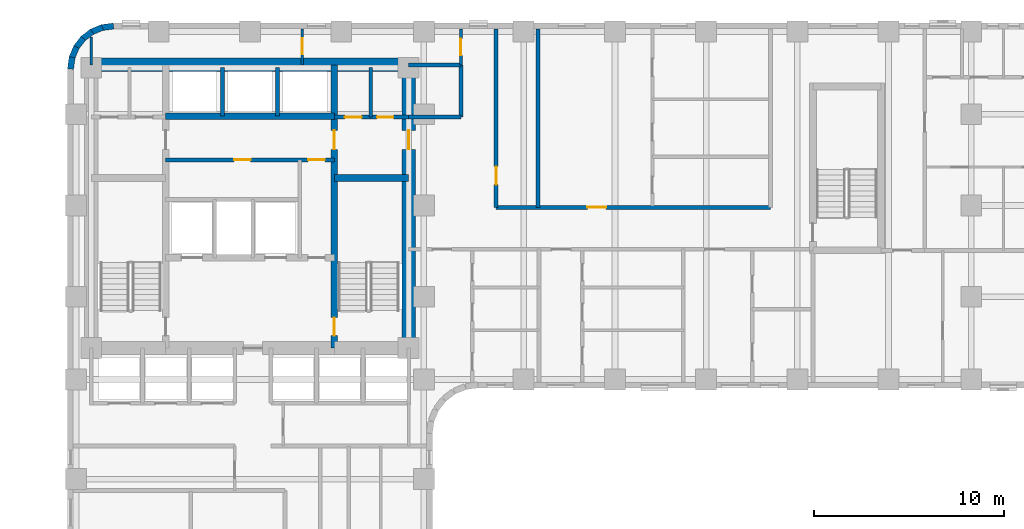
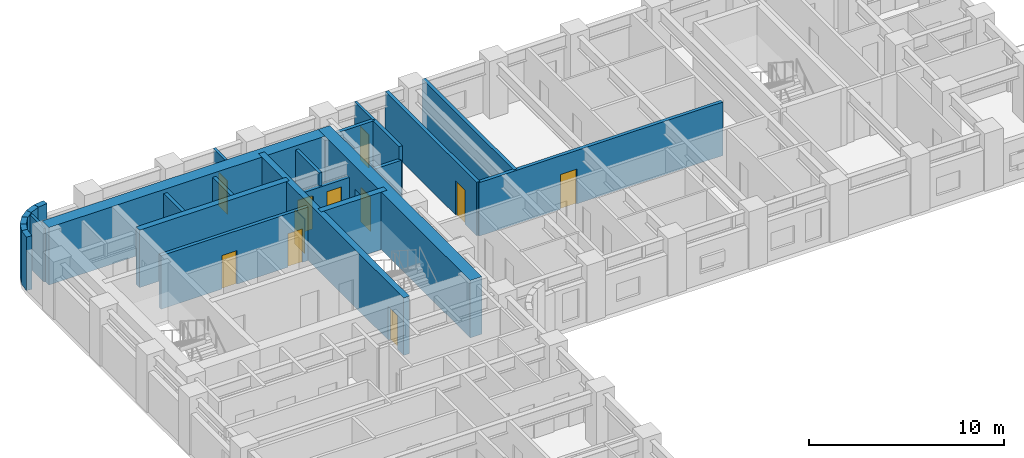
# One storey, part 6 of 11: 25 walls, 11 doors, 11 openings.
"""IFC4 building model written with IfcOpenShell, lengths in metres."""

from ifc_helpers import new_model, si_unit, direction, frame, frame_2d, origin, place, context, subcontext, project, spatial, rectangle, extrude, material, layer, layer_set, type_object, element, fill, save


model = new_model("IFC4")

# Units and contexts
model_context = context("Model", 3, precision=1e-05, world=origin(), true_north=direction((0.0, 1.0)))
body_context = subcontext(model_context, "Body", "Model", "MODEL_VIEW")
ifc_project = project(units=[si_unit("LENGTHUNIT", "METRE"), si_unit("AREAUNIT", "SQUARE_METRE"), si_unit("VOLUMEUNIT", "CUBIC_METRE"), si_unit("PLANEANGLEUNIT", "RADIAN"), si_unit("MASSUNIT", "GRAM", prefix="KILO")], contexts=[model_context])

# Site, building, storey
site_placement = place(None, origin())
site = spatial("IfcSite", under=ifc_project, at=site_placement, CompositionType="ELEMENT")
building_placement = place(site_placement, origin())
building = spatial("IfcBuilding", under=site, at=building_placement, Name="Orvandelia Arch Residences", CompositionType="ELEMENT")
storey_placement = place(building_placement, frame((0.0, 0.0, 46.60009765625)))
storey = spatial("IfcBuildingStorey", under=building, at=storey_placement, Name="L11", CompositionType="ELEMENT", Elevation=46.60009765625)

# Wall, openings, doors
ifc_material_1 = material(Name="Concrete C50/60", Category="concrete")
ifc_layer_1 = layer(ifc_material_1, 0.35009765625, Name="Concrete C50/60", Category="concrete")
ifc_layer_set_1 = layer_set([ifc_layer_1], Name="Concrete C50/60")
wall_type_1 = type_object("IfcWallType", Name="WL-CORE-350", PredefinedType="SHEAR", material=ifc_layer_set_1)
wall_1_placement = place(storey_placement, frame((18.840087890625, 30.89990234375, 0.0), z_axis=(0.0, 0.0, 1.0), x_axis=(0.0, 1.0, 0.0)))
wall_1 = element("IfcWall", 1, at=wall_1_placement, inside=storey, type_object=wall_type_1, Name="Core Shear Wall L11-WEB2", PredefinedType="SHEAR", context=body_context, shape_type="SweptSolid", body=[
    extrude(rectangle(XDim=14.900146484375, YDim=0.35009765625, at=frame_2d((7.4501953125, 0.0))), origin(), (0.0, 0.0, 1.0), 3.599853515625),
])
opening_1_placement = place(wall_1_placement, frame((0.64990234375, 0.0, 0.0)))
opening_1 = element("IfcOpeningElement", 2, at=opening_1_placement, cuts=wall_1, Name="Opening D7", PredefinedType="OPENING", context=body_context, shape_type="SweptSolid", body=[
    extrude(rectangle(XDim=0.949951171875, YDim=2.10009765625, at=frame_2d((0.47509765625, 1.050048828125))), frame((0.0, 0.18505859375, 0.0), z_axis=(0.0, -1.0, 0.0), x_axis=(1.0, 0.0, 0.0)), (0.0, 0.0, 1.0), 0.3701171875),
])
opening_2_placement = place(wall_1_placement, frame((10.449951171875, 0.0, 0.0)))
opening_2 = element("IfcOpeningElement", 3, at=opening_2_placement, cuts=wall_1, Name="Opening D6", PredefinedType="OPENING", context=body_context, shape_type="SweptSolid", body=[
    extrude(rectangle(XDim=1.0, YDim=2.14990234375, at=frame_2d((0.5, 1.074951171875))), frame((0.0, 0.18505859375, 0.0), z_axis=(0.0, -1.0, 0.0), x_axis=(1.0, 0.0, 0.0)), (0.0, 0.0, 1.0), 0.3701171875),
])
ifc_material_2 = material(Name="Smokeproof Painted Steel Fire Door", Category="steel")
door_type_1 = type_object("IfcDoorType", Name="DR-FD60-1000", OperationType="NOTDEFINED", PredefinedType="DOOR", material=ifc_material_2)
door_1_placement = place(opening_2_placement, origin())
door_1 = element("IfcDoor", 4, at=door_1_placement, inside=storey, type_object=door_type_1, Name="High-Rise Lift Hall East Vestibule Door L11", OperationType="SINGLE_SWING_RIGHT", OverallHeight=2.14990234375, OverallWidth=1.0, PredefinedType="DOOR", context=body_context, shape_type="SweptSolid", body=[
    extrude(rectangle(XDim=1.0, YDim=2.14990234375, at=frame_2d((0.5, 1.074951171875))), frame((0.0, 0.02490234375, 0.0), z_axis=(0.0, -1.0, 0.0), x_axis=(1.0, 0.0, 0.0)), (0.0, 0.0, 1.0), 0.050048828125),
])
fill(opening_2, door_1)
ifc_material_3 = material(Name="Pressurised Stairwell Fire Door")
door_type_2 = type_object("IfcDoorType", Name="DR-STAIR-950", OperationType="NOTDEFINED", PredefinedType="DOOR", material=ifc_material_3)
door_2_placement = place(opening_1_placement, origin())
door_2 = element("IfcDoor", 5, at=door_2_placement, inside=storey, type_object=door_type_2, Name="Stairwell ST-2 Fire Door L11", OperationType="SINGLE_SWING_RIGHT", OverallHeight=2.10009765625, OverallWidth=0.949951171875, PredefinedType="DOOR", context=body_context, shape_type="SweptSolid", body=[
    extrude(rectangle(XDim=0.949951171875, YDim=2.10009765625, at=frame_2d((0.47509765625, 1.050048828125))), frame((0.0, 0.02490234375, 0.0), z_axis=(0.0, -1.0, 0.0), x_axis=(1.0, 0.0, 0.0)), (0.0, 0.0, 1.0), 0.050048828125),
])
fill(opening_1, door_2)

# Walls
wall_2_placement = place(storey_placement, frame((18.840087890625, 39.85009765625, 0.0), z_axis=(0.0, 0.0, 1.0), x_axis=(1.0, 0.0, 0.0)))
element("IfcWall", 6, at=wall_2_placement, inside=storey, type_object=wall_type_1, Name="Core Shear Wall L11-HZ2", PredefinedType="SHEAR", context=body_context, shape_type="SweptSolid", body=[
    extrude(rectangle(XDim=3.909912109375, YDim=0.35009765625, at=frame_2d((1.955078125, 0.0))), origin(), (0.0, 0.0, 1.0), 3.599853515625),
])
wall_3_placement = place(storey_placement, frame((9.9599609375, 43.10009765625, 0.0), z_axis=(0.0, 0.0, 1.0), x_axis=(1.0, 0.0, 0.0)))
element("IfcWall", 7, at=wall_3_placement, inside=storey, type_object=wall_type_1, Name="Core Shear Wall L11-HZ4", PredefinedType="SHEAR", context=body_context, shape_type="SweptSolid", body=[
    extrude(rectangle(XDim=8.880126953125, YDim=0.35009765625, at=frame_2d((4.43994140625, 0.0))), origin(), (0.0, 0.0, 1.0), 3.599853515625),
])

# Wall, opening, door
ifc_material_4 = material(Name="Concrete C80/95", Category="concrete")
ifc_layer_2 = layer(ifc_material_4, 0.699951171875, Name="Concrete C80/95", Category="concrete")
ifc_layer_set_2 = layer_set([ifc_layer_2], Name="Concrete C80/95")
wall_type_2 = type_object("IfcWallType", Name="WL-CORE-700", PredefinedType="SHEAR", material=ifc_layer_set_2)
wall_4_placement = place(storey_placement, frame((22.75, 30.550048828125, 0.0), z_axis=(0.0, 0.0, 1.0), x_axis=(0.0, 1.0, 0.0)))
wall_4 = element("IfcWall", 8, at=wall_4_placement, inside=storey, type_object=wall_type_2, Name="Core Shear Wall L11-E", PredefinedType="SHEAR", context=body_context, shape_type="SweptSolid", body=[
    extrude(rectangle(XDim=15.599853515625, YDim=0.699951171875, at=frame_2d((7.7998046875, 0.0))), origin(), (0.0, 0.0, 1.0), 3.599853515625),
])
opening_3_placement = place(wall_4_placement, frame((10.800048828125, 0.0, 0.0)))
opening_3 = element("IfcOpeningElement", 9, at=opening_3_placement, cuts=wall_4, Name="Opening D6", PredefinedType="OPENING", context=body_context, shape_type="SweptSolid", body=[
    extrude(rectangle(XDim=1.0, YDim=2.14990234375, at=frame_2d((0.5, 1.074951171875))), frame((0.0, 0.35986328125, 0.0), z_axis=(0.0, -1.0, 0.0), x_axis=(1.0, 0.0, 0.0)), (0.0, 0.0, 1.0), 0.719970703125),
])
door_3_placement = place(opening_3_placement, origin())
door_3 = element("IfcDoor", 10, at=door_3_placement, inside=storey, type_object=door_type_1, Name="Core East Corridor Link Door L11", OperationType="SINGLE_SWING_LEFT", OverallHeight=2.14990234375, OverallWidth=1.0, PredefinedType="DOOR", context=body_context, shape_type="SweptSolid", body=[
    extrude(rectangle(XDim=1.0, YDim=2.14990234375, at=frame_2d((0.5, 1.074951171875))), frame((0.0, 0.02490234375, 0.0), z_axis=(0.0, -1.0, 0.0), x_axis=(1.0, 0.0, 0.0)), (0.0, 0.0, 1.0), 0.050048828125),
])
fill(opening_3, door_3)

# Walls
wall_5_placement = place(storey_placement, frame((6.050048828125, 45.800048828125, 0.0), z_axis=(0.0, 0.0, 1.0), x_axis=(1.0, 0.0, 0.0)))
element("IfcWall", 11, at=wall_5_placement, inside=storey, type_object=wall_type_2, Name="Core Shear Wall L11-N", PredefinedType="SHEAR", context=body_context, shape_type="SweptSolid", body=[
    extrude(rectangle(XDim=16.699951171875, YDim=0.699951171875, at=frame_2d((8.35009765625, 0.0))), origin(), (0.0, 0.0, 1.0), 3.599853515625),
])
ifc_material_5 = material(Name="Fire-Rated Corridor Partition")
ifc_layer_3 = layer(ifc_material_5, 0.199951171875, Name="Fire-Rated Corridor Partition")
ifc_layer_set_3 = layer_set([ifc_layer_3], Name="Fire-Rated Corridor Partition")
wall_type_3 = type_object("IfcWallType", Name="WL-CORR-200", PredefinedType="PARTITIONING", material=ifc_layer_set_3)
wall_6_placement = place(storey_placement, frame((22.75, 45.800048828125, 0.0), z_axis=(0.0, 0.0, 1.0), x_axis=(1.0, 0.0, 0.0)))
element("IfcWall", 12, at=wall_6_placement, inside=storey, type_object=wall_type_3, Name="Interior Partition Wall WL-L11-NCE-S", PredefinedType="PARTITIONING", context=body_context, shape_type="SweptSolid", body=[
    extrude(rectangle(XDim=2.75, YDim=0.199951171875, at=frame_2d((1.375, 0.0))), origin(), (0.0, 0.0, 1.0), 3.349853515625),
])

# Wall, opening, door
wall_7_placement = place(storey_placement, frame((27.35009765625, 38.300048828125, 0.0), z_axis=(0.0, 0.0, 1.0), x_axis=(1.0, 0.0, 0.0)))
wall_7 = element("IfcWall", 13, at=wall_7_placement, inside=storey, type_object=wall_type_3, Name="Interior Partition Wall WL-L11-EM-N", PredefinedType="PARTITIONING", context=body_context, shape_type="SweptSolid", body=[
    extrude(rectangle(XDim=14.429931640625, YDim=0.199951171875, at=frame_2d((7.21484375, 0.0))), origin(), (0.0, 0.0, 1.0), 3.349853515625),
])
opening_4_placement = place(wall_7_placement, frame((4.803466796875, 0.0, 0.0)))
opening_4 = element("IfcOpeningElement", 14, at=opening_4_placement, cuts=wall_7, Name="Opening D1", PredefinedType="OPENING", context=body_context, shape_type="SweptSolid", body=[
    extrude(rectangle(XDim=0.97998046875, YDim=2.179931640625, at=frame_2d((0.489990234375, 1.08984375))), frame((0.0, 0.10986328125, 0.0), z_axis=(0.0, -1.0, 0.0), x_axis=(1.0, 0.0, 0.0)), (0.0, 0.0, 1.0), 0.219970703125),
])
ifc_material_6 = material(Name="Solid-Core Timber Acoustic Fire Door", Category="wood")
door_type_3 = type_object("IfcDoorType", Name="DR-ENT-980", OperationType="NOTDEFINED", PredefinedType="DOOR", material=ifc_material_6)
door_4_placement = place(opening_4_placement, origin())
door_4 = element("IfcDoor", 15, at=door_4_placement, inside=storey, type_object=door_type_3, Name="Unit L11-09 Entrance Door", OperationType="SINGLE_SWING_LEFT", OverallHeight=2.179931640625, OverallWidth=0.97998046875, PredefinedType="DOOR", context=body_context, shape_type="SweptSolid", body=[
    extrude(rectangle(XDim=0.97998046875, YDim=2.179931640625, at=frame_2d((0.489990234375, 1.08984375))), frame((0.0, 0.02490234375, 0.0), z_axis=(0.0, -1.0, 0.0), x_axis=(1.0, 0.0, 0.0)), (0.0, 0.0, 1.0), 0.050048828125),
])
fill(opening_4, door_4)

wall_8_placement = place(storey_placement, frame((27.35009765625, 38.300048828125, 0.0), z_axis=(0.0, 0.0, 1.0), x_axis=(0.0, 1.0, 0.0)))
wall_8 = element("IfcWall", 16, at=wall_8_placement, inside=storey, type_object=wall_type_3, Name="Interior Partition Wall WL-L11-EM-NCE", PredefinedType="PARTITIONING", context=body_context, shape_type="SweptSolid", body=[
    extrude(rectangle(XDim=9.3798828125, YDim=0.199951171875, at=frame_2d((4.68994140625, 0.0))), origin(), (0.0, 0.0, 1.0), 3.349853515625),
])
opening_5_placement = place(wall_8_placement, frame((1.199951171875, 0.0, 0.0)))
opening_5 = element("IfcOpeningElement", 17, at=opening_5_placement, cuts=wall_8, Name="Opening D2", PredefinedType="OPENING", context=body_context, shape_type="SweptSolid", body=[
    extrude(rectangle(XDim=0.949951171875, YDim=2.14990234375, at=frame_2d((0.47509765625, 1.074951171875))), frame((0.0, 0.10986328125, 0.0), z_axis=(0.0, -1.0, 0.0), x_axis=(1.0, 0.0, 0.0)), (0.0, 0.0, 1.0), 0.219970703125),
])
ifc_material_7 = material(Name="Solid-Core Timber Interior Fire Door", Category="wood")
door_type_4 = type_object("IfcDoorType", Name="DR-APT-950", OperationType="NOTDEFINED", PredefinedType="DOOR", material=ifc_material_7)
door_5_placement = place(opening_5_placement, origin())
door_5 = element("IfcDoor", 18, at=door_5_placement, inside=storey, type_object=door_type_4, Name="DR-L11-LDY", OperationType="SINGLE_SWING_RIGHT", OverallHeight=2.14990234375, OverallWidth=0.949951171875, PredefinedType="DOOR", context=body_context, shape_type="SweptSolid", body=[
    extrude(rectangle(XDim=0.949951171875, YDim=2.14990234375, at=frame_2d((0.47509765625, 1.074951171875))), frame((0.0, 0.02490234375, 0.0), z_axis=(0.0, -1.0, 0.0), x_axis=(1.0, 0.0, 0.0)), (0.0, 0.0, 1.0), 0.050048828125),
])
fill(opening_5, door_5)

# Walls
wall_9_placement = place(storey_placement, frame((22.75, 43.050048828125, 0.0), z_axis=(0.0, 0.0, 1.0), x_axis=(1.0, 0.0, 0.0)))
element("IfcWall", 19, at=wall_9_placement, inside=storey, type_object=wall_type_3, Name="Interior Partition Wall WL-L11-EM-LS", PredefinedType="PARTITIONING", context=body_context, shape_type="SweptSolid", body=[
    extrude(rectangle(XDim=2.75, YDim=0.199951171875, at=frame_2d((1.375, 0.0))), origin(), (0.0, 0.0, 1.0), 2.52978515625),
])
wall_10_placement = place(storey_placement, frame((25.5, 43.050048828125, 0.0), z_axis=(0.0, 0.0, 1.0), x_axis=(0.0, 1.0, 0.0)))
element("IfcWall", 20, at=wall_10_placement, inside=storey, type_object=wall_type_3, Name="Interior Partition Wall WL-L11-EM-LW2", PredefinedType="PARTITIONING", context=body_context, shape_type="SweptSolid", body=[
    extrude(rectangle(XDim=2.75, YDim=0.199951171875, at=frame_2d((1.375, 0.0))), origin(), (0.0, 0.0, 1.0), 3.349853515625),
])
ifc_material_8 = material(Name="Concrete C40/50", Category="concrete")
ifc_layer_4 = layer(ifc_material_8, 0.199951171875, Name="Concrete C40/50", Category="concrete")
ifc_layer_set_4 = layer_set([ifc_layer_4], Name="Concrete C40/50")
wall_type_4 = type_object("IfcWallType", Name="WL-DEM-200", PredefinedType="SOLIDWALL", material=ifc_layer_set_4)
wall_11_placement = place(storey_placement, frame((29.550048828125, 38.300048828125, 0.0), z_axis=(0.0, 0.0, 1.0), x_axis=(0.0, 1.0, 0.0)))
element("IfcWall", 21, at=wall_11_placement, inside=storey, type_object=wall_type_4, Name="Interior Partition Wall WL-L11-EM-LDE", PredefinedType="SOLIDWALL", context=body_context, shape_type="SweptSolid", body=[
    extrude(rectangle(XDim=9.3798828125, YDim=0.199951171875, at=frame_2d((4.68994140625, 0.0))), origin(), (0.0, 0.0, 1.0), 3.349853515625),
])
ifc_material_9 = material(Name="Precast concrete C40/50", Category="concrete")
ifc_layer_5 = layer(ifc_material_9, 0.320068359375, Name="Precast concrete C40/50", Category="concrete")
ifc_layer_set_5 = layer_set([ifc_layer_5], Name="Precast concrete C40/50")
wall_type_5 = type_object("IfcWallType", Name="WL-EXT-STONE-320", PredefinedType="STANDARD", material=ifc_layer_set_5)
for number, where, z_axis, x_axis, name in (
    (22, (4.95849609375, 45.5791015625, 0.0), (0.0, 0.0, 1.0), (0.130555323746, 0.9914410257, 0.0), "Coral-Limestone Precast Facade Wall L11-001"),
    (23, (5.029541015625, 46.159912109375, 0.0), (0.0, 0.0, 1.0), (0.382650053678, 0.92389335771, 0.0), "Coral-Limestone Precast Facade Wall L11-002"),
):
    element("IfcWall", number, at=place(storey_placement, frame(where, z_axis=z_axis, x_axis=x_axis)), inside=storey, type_object=wall_type_5, Name=name, PredefinedType="STANDARD", context=body_context, shape_type="SweptSolid", body=[
        extrude(rectangle(XDim=0.62646484375, YDim=0.320068359375, at=frame_2d((0.313232421875, 0.0))), origin(), (0.0, 0.0, 1.0), 3.349853515625),
    ])
wall_12_placement = place(storey_placement, frame((5.248291015625, 46.70263671875, 0.0), z_axis=(0.0, 0.0, 1.0), x_axis=(0.608938521285, 0.7932174212, 0.0)))
element("IfcWall", 24, at=wall_12_placement, inside=storey, type_object=wall_type_5, Name="Coral-Limestone Precast Facade Wall L11-003", PredefinedType="STANDARD", context=body_context, shape_type="SweptSolid", body=[
    extrude(rectangle(XDim=0.626708984375, YDim=0.320068359375, at=frame_2d((0.3134765625, 0.0))), origin(), (0.0, 0.0, 1.0), 3.349853515625),
])
wall_13_placement = place(storey_placement, frame((5.600341796875, 47.170166015625, 0.0), z_axis=(0.0, 0.0, 1.0), x_axis=(0.793405610854, 0.608693302629, 0.0)))
element("IfcWall", 25, at=wall_13_placement, inside=storey, type_object=wall_type_5, Name="Coral-Limestone Precast Facade Wall L11-004", PredefinedType="STANDARD", context=body_context, shape_type="SweptSolid", body=[
    extrude(rectangle(XDim=0.62646484375, YDim=0.320068359375, at=frame_2d((0.313232421875, 0.0))), origin(), (0.0, 0.0, 1.0), 3.349853515625),
])
wall_14_placement = place(storey_placement, frame((6.061279296875, 47.53076171875, 0.0), z_axis=(0.0, 0.0, 1.0), x_axis=(0.923836271867, 0.382787856107, 0.0)))
element("IfcWall", 26, at=wall_14_placement, inside=storey, type_object=wall_type_5, Name="Coral-Limestone Precast Facade Wall L11-005", PredefinedType="STANDARD", context=body_context, shape_type="SweptSolid", body=[
    extrude(rectangle(XDim=0.626220703125, YDim=0.320068359375, at=frame_2d((0.31298828125, 0.0))), origin(), (0.0, 0.0, 1.0), 3.349853515625),
])
wall_15_placement = place(storey_placement, frame((6.599609375, 47.759521484375, 0.0), z_axis=(0.0, 0.0, 1.0), x_axis=(0.991447664465, 0.130504898859, 0.0)))
element("IfcWall", 27, at=wall_15_placement, inside=storey, type_object=wall_type_5, Name="Coral-Limestone Precast Facade Wall L11-006", PredefinedType="STANDARD", context=body_context, shape_type="SweptSolid", body=[
    extrude(rectangle(XDim=0.626708984375, YDim=0.320068359375, at=frame_2d((0.3134765625, 0.0))), origin(), (0.0, 0.0, 1.0), 3.349853515625),
])

# Wall, opening, door
ifc_material_10 = material(Name="Acoustic Gypsum Stud Partition")
ifc_layer_6 = layer(ifc_material_10, 0.14990234375, Name="Acoustic Gypsum Stud Partition")
ifc_layer_set_6 = layer_set([ifc_layer_6], Name="Acoustic Gypsum Stud Partition")
wall_type_6 = type_object("IfcWallType", Name="WL-PART-150", PredefinedType="PARTITIONING", material=ifc_layer_set_6)
wall_16_placement = place(storey_placement, frame((25.5, 45.800048828125, 0.0), z_axis=(0.0, 0.0, 1.0), x_axis=(0.0, 1.0, 0.0)))
wall_16 = element("IfcWall", 28, at=wall_16_placement, inside=storey, type_object=wall_type_6, Name="Interior Partition Wall WL-L11-NCE-W", PredefinedType="PARTITIONING", context=body_context, shape_type="SweptSolid", body=[
    extrude(rectangle(XDim=1.8798828125, YDim=0.14990234375, at=frame_2d((0.93994140625, 0.0))), origin(), (0.0, 0.0, 1.0), 3.349853515625),
])
opening_6_placement = place(wall_16_placement, frame((0.5, 0.0, 0.0)))
opening_6 = element("IfcOpeningElement", 29, at=opening_6_placement, cuts=wall_16, Name="Opening D5", PredefinedType="OPENING", context=body_context, shape_type="SweptSolid", body=[
    extrude(rectangle(XDim=0.8798828125, YDim=2.10009765625, at=frame_2d((0.43994140625, 1.050048828125))), frame((0.0, 0.0849609375, 0.0), z_axis=(0.0, -1.0, 0.0), x_axis=(1.0, 0.0, 0.0)), (0.0, 0.0, 1.0), 0.169921875),
])
ifc_material_11 = material(Name="Painted Galvanised Steel Service Door", Category="steel")
door_type_5 = type_object("IfcDoorType", Name="DR-SRV-880", OperationType="NOTDEFINED", PredefinedType="DOOR", material=ifc_material_11)
door_6_placement = place(opening_6_placement, origin())
door_6 = element("IfcDoor", 30, at=door_6_placement, inside=storey, type_object=door_type_5, Name="DR-L11-NCS2", OperationType="SINGLE_SWING_LEFT", OverallHeight=2.10009765625, OverallWidth=0.8798828125, PredefinedType="DOOR", context=body_context, shape_type="SweptSolid", body=[
    extrude(rectangle(XDim=0.8798828125, YDim=2.10009765625, at=frame_2d((0.43994140625, 1.050048828125))), frame((0.0, 0.02490234375, 0.0), z_axis=(0.0, -1.0, 0.0), x_axis=(1.0, 0.0, 0.0)), (0.0, 0.0, 1.0), 0.050048828125),
])
fill(opening_6, door_6)

# Wall
wall_17_placement = place(storey_placement, frame((6.050048828125, 45.800048828125, 0.0), z_axis=(0.0, 0.0, 1.0), x_axis=(0.0, 1.0, 0.0)))
element("IfcWall", 31, at=wall_17_placement, inside=storey, type_object=wall_type_6, Name="Interior Partition Wall WL-L11-NC-W6", PredefinedType="PARTITIONING", context=body_context, shape_type="SweptSolid", body=[
    extrude(rectangle(XDim=1.4599609375, YDim=0.14990234375, at=frame_2d((0.72998046875, 0.0))), origin(), (0.0, 0.0, 1.0), 3.349853515625),
])

# Wall, opening, door
wall_18_placement = place(storey_placement, frame((17.14990234375, 45.800048828125, 0.0), z_axis=(0.0, 0.0, 1.0), x_axis=(0.0, 1.0, 0.0)))
wall_18 = element("IfcWall", 32, at=wall_18_placement, inside=storey, type_object=wall_type_6, Name="Interior Partition Wall WL-L11-NC-M", PredefinedType="PARTITIONING", context=body_context, shape_type="SweptSolid", body=[
    extrude(rectangle(XDim=1.8798828125, YDim=0.14990234375, at=frame_2d((0.93994140625, 0.0))), origin(), (0.0, 0.0, 1.0), 3.349853515625),
])
opening_7_placement = place(wall_18_placement, frame((0.550048828125, 0.0, 0.0)))
opening_7 = element("IfcOpeningElement", 33, at=opening_7_placement, cuts=wall_18, Name="Opening D4", PredefinedType="OPENING", context=body_context, shape_type="SweptSolid", body=[
    extrude(rectangle(XDim=0.860107421875, YDim=2.10009765625, at=frame_2d((0.43017578125, 1.050048828125))), frame((0.0, 0.0849609375, 0.0), z_axis=(0.0, -1.0, 0.0), x_axis=(1.0, 0.0, 0.0)), (0.0, 0.0, 1.0), 0.169921875),
])
ifc_material_12 = material(Name="Moisture-Sealed Timber Bathroom Door", Category="wood")
door_type_6 = type_object("IfcDoorType", Name="DR-WET-900", OperationType="NOTDEFINED", PredefinedType="DOOR", material=ifc_material_12)
door_7_placement = place(opening_7_placement, origin())
door_7 = element("IfcDoor", 34, at=door_7_placement, inside=storey, type_object=door_type_6, Name="DR-L11-NCS1", OperationType="SINGLE_SWING_LEFT", OverallHeight=2.10009765625, OverallWidth=0.860107421875, PredefinedType="DOOR", context=body_context, shape_type="SweptSolid", body=[
    extrude(rectangle(XDim=0.860107421875, YDim=2.10009765625, at=frame_2d((0.43017578125, 1.050048828125))), frame((0.0, 0.02490234375, 0.0), z_axis=(0.0, -1.0, 0.0), x_axis=(1.0, 0.0, 0.0)), (0.0, 0.0, 1.0), 0.050048828125),
])
fill(opening_7, door_7)

# Wall, openings, doors
ifc_material_13 = material(Name="Fire-Rated Shaft Enclosure Wall")
ifc_layer_7 = layer(ifc_material_13, 0.199951171875, Name="Fire-Rated Shaft Enclosure Wall")
ifc_layer_set_7 = layer_set([ifc_layer_7], Name="Fire-Rated Shaft Enclosure Wall")
wall_type_7 = type_object("IfcWallType", Name="WL-SHAFT-200", PredefinedType="POLYGONAL", material=ifc_layer_set_7)
wall_19_placement = place(storey_placement, frame((9.9599609375, 40.800048828125, 0.0), z_axis=(0.0, 0.0, 1.0), x_axis=(1.0, 0.0, 0.0)))
wall_19 = element("IfcWall", 35, at=wall_19_placement, inside=storey, type_object=wall_type_7, Name="Interior Partition Wall WL-L11-HLH-S", PredefinedType="POLYGONAL", context=body_context, shape_type="SweptSolid", body=[
    extrude(rectangle(XDim=8.880126953125, YDim=0.199951171875, at=frame_2d((4.43994140625, 0.0))), origin(), (0.0, 0.0, 1.0), 3.349853515625),
])
opening_8_placement = place(wall_19_placement, frame((7.5, 0.0, 0.0)))
opening_8 = element("IfcOpeningElement", 36, at=opening_8_placement, cuts=wall_19, Name="Opening D5", PredefinedType="OPENING", context=body_context, shape_type="SweptSolid", body=[
    extrude(rectangle(XDim=0.8798828125, YDim=2.10009765625, at=frame_2d((0.43994140625, 1.050048828125))), frame((0.0, 0.10986328125, 0.0), z_axis=(0.0, -1.0, 0.0), x_axis=(1.0, 0.0, 0.0)), (0.0, 0.0, 1.0), 0.219970703125),
])
opening_9_placement = place(wall_19_placement, frame((3.60009765625, 0.0, 0.0)))
opening_9 = element("IfcOpeningElement", 37, at=opening_9_placement, cuts=wall_19, Name="Opening D5", PredefinedType="OPENING", context=body_context, shape_type="SweptSolid", body=[
    extrude(rectangle(XDim=0.8798828125, YDim=2.10009765625, at=frame_2d((0.43994140625, 1.050048828125))), frame((0.0, 0.10986328125, 0.0), z_axis=(0.0, -1.0, 0.0), x_axis=(1.0, 0.0, 0.0)), (0.0, 0.0, 1.0), 0.219970703125),
])
door_8_placement = place(opening_8_placement, origin())
door_8 = element("IfcDoor", 38, at=door_8_placement, inside=storey, type_object=door_type_5, Name="Core Stairway Passage North Fire Door L11", OperationType="SINGLE_SWING_RIGHT", OverallHeight=2.10009765625, OverallWidth=0.8798828125, PredefinedType="DOOR", context=body_context, shape_type="SweptSolid", body=[
    extrude(rectangle(XDim=0.8798828125, YDim=2.10009765625, at=frame_2d((0.43994140625, 1.050048828125))), frame((0.0, 0.02490234375, 0.0), z_axis=(0.0, -1.0, 0.0), x_axis=(1.0, 0.0, 0.0)), (0.0, 0.0, 1.0), 0.050048828125),
])
fill(opening_8, door_8)
door_9_placement = place(opening_9_placement, origin())
door_9 = element("IfcDoor", 39, at=door_9_placement, inside=storey, type_object=door_type_5, Name="DR-L11-CSA1", OperationType="SINGLE_SWING_LEFT", OverallHeight=2.10009765625, OverallWidth=0.8798828125, PredefinedType="DOOR", context=body_context, shape_type="SweptSolid", body=[
    extrude(rectangle(XDim=0.8798828125, YDim=2.10009765625, at=frame_2d((0.43994140625, 1.050048828125))), frame((0.0, 0.02490234375, 0.0), z_axis=(0.0, -1.0, 0.0), x_axis=(1.0, 0.0, 0.0)), (0.0, 0.0, 1.0), 0.050048828125),
])
fill(opening_9, door_9)

wall_20_placement = place(storey_placement, frame((18.840087890625, 43.050048828125, 0.0), z_axis=(0.0, 0.0, 1.0), x_axis=(1.0, 0.0, 0.0)))
wall_20 = element("IfcWall", 40, at=wall_20_placement, inside=storey, type_object=wall_type_7, Name="Interior Partition Wall WL-L11-HLE-N", PredefinedType="POLYGONAL", context=body_context, shape_type="SweptSolid", body=[
    extrude(rectangle(XDim=3.909912109375, YDim=0.199951171875, at=frame_2d((1.955078125, 0.0))), origin(), (0.0, 0.0, 1.0), 2.52978515625),
])
opening_10_placement = place(wall_20_placement, frame((0.550048828125, 0.0, 0.0)))
opening_10 = element("IfcOpeningElement", 41, at=opening_10_placement, cuts=wall_20, Name="Opening D5", PredefinedType="OPENING", context=body_context, shape_type="SweptSolid", body=[
    extrude(rectangle(XDim=0.8798828125, YDim=2.10009765625, at=frame_2d((0.43994140625, 1.050048828125))), frame((0.0, 0.10986328125, 0.0), z_axis=(0.0, -1.0, 0.0), x_axis=(1.0, 0.0, 0.0)), (0.0, 0.0, 1.0), 0.219970703125),
])
opening_11_placement = place(wall_20_placement, frame((2.25, 0.0, 0.0)))
opening_11 = element("IfcOpeningElement", 42, at=opening_11_placement, cuts=wall_20, Name="Opening D4", PredefinedType="OPENING", context=body_context, shape_type="SweptSolid", body=[
    extrude(rectangle(XDim=0.860107421875, YDim=2.10009765625, at=frame_2d((0.43017578125, 1.050048828125))), frame((0.0, 0.10986328125, 0.0), z_axis=(0.0, -1.0, 0.0), x_axis=(1.0, 0.0, 0.0)), (0.0, 0.0, 1.0), 0.219970703125),
])
door_10_placement = place(opening_10_placement, origin())
door_10 = element("IfcDoor", 43, at=door_10_placement, inside=storey, type_object=door_type_5, Name="DR-L11-CSB1", OperationType="SINGLE_SWING_LEFT", OverallHeight=2.10009765625, OverallWidth=0.8798828125, PredefinedType="DOOR", context=body_context, shape_type="SweptSolid", body=[
    extrude(rectangle(XDim=0.8798828125, YDim=2.10009765625, at=frame_2d((0.43994140625, 1.050048828125))), frame((0.0, 0.02490234375, 0.0), z_axis=(0.0, -1.0, 0.0), x_axis=(1.0, 0.0, 0.0)), (0.0, 0.0, 1.0), 0.050048828125),
])
fill(opening_10, door_10)
door_11_placement = place(opening_11_placement, origin())
door_11 = element("IfcDoor", 44, at=door_11_placement, inside=storey, type_object=door_type_6, Name="DR-L11-CSB2", OperationType="SINGLE_SWING_RIGHT", OverallHeight=2.10009765625, OverallWidth=0.860107421875, PredefinedType="DOOR", context=body_context, shape_type="SweptSolid", body=[
    extrude(rectangle(XDim=0.860107421875, YDim=2.10009765625, at=frame_2d((0.43017578125, 1.050048828125))), frame((0.0, 0.02490234375, 0.0), z_axis=(0.0, -1.0, 0.0), x_axis=(1.0, 0.0, 0.0)), (0.0, 0.0, 1.0), 0.050048828125),
])
fill(opening_11, door_11)

# Walls
for number, where, z_axis, x_axis, name in (
    (45, (12.949951171875, 43.10009765625, 0.0), (0.0, 0.0, 1.0), (0.0, 1.0, 0.0), "Interior Partition Wall WL-L11-PHD1"),
    (46, (15.85009765625, 43.10009765625, 0.0), (0.0, 0.0, 1.0), (0.0, 1.0, 0.0), "Interior Partition Wall WL-L11-PHD2"),
):
    element("IfcWall", number, at=place(storey_placement, frame(where, z_axis=z_axis, x_axis=x_axis)), inside=storey, type_object=wall_type_7, Name=name, PredefinedType="POLYGONAL", context=body_context, shape_type="SweptSolid", body=[
        extrude(rectangle(XDim=2.5498046875, YDim=0.199951171875, at=frame_2d((1.27490234375, 0.0))), origin(), (0.0, 0.0, 1.0), 3.349853515625),
    ])
ifc_material_14 = material(Name="Moisture-Resistant Plumbing Wall")
ifc_layer_8 = layer(ifc_material_14, 0.179931640625, Name="Moisture-Resistant Plumbing Wall")
ifc_layer_set_8 = layer_set([ifc_layer_8], Name="Moisture-Resistant Plumbing Wall")
wall_type_8 = type_object("IfcWallType", Name="WL-WET-180", PredefinedType="PLUMBINGWALL", material=ifc_layer_set_8)
wall_21_placement = place(storey_placement, frame((20.75, 43.050048828125, 0.0), z_axis=(0.0, 0.0, 1.0), x_axis=(0.0, 1.0, 0.0)))
element("IfcWall", 47, at=wall_21_placement, inside=storey, type_object=wall_type_8, Name="Interior Partition Wall WL-L11-CSB-1", PredefinedType="PLUMBINGWALL", context=body_context, shape_type="SweptSolid", body=[
    extrude(rectangle(XDim=2.599853515625, YDim=0.179931640625, at=frame_2d((1.2998046875, 0.0))), origin(), (0.0, 0.0, 1.0), 3.349853515625),
])

save(model, "model.ifc")
